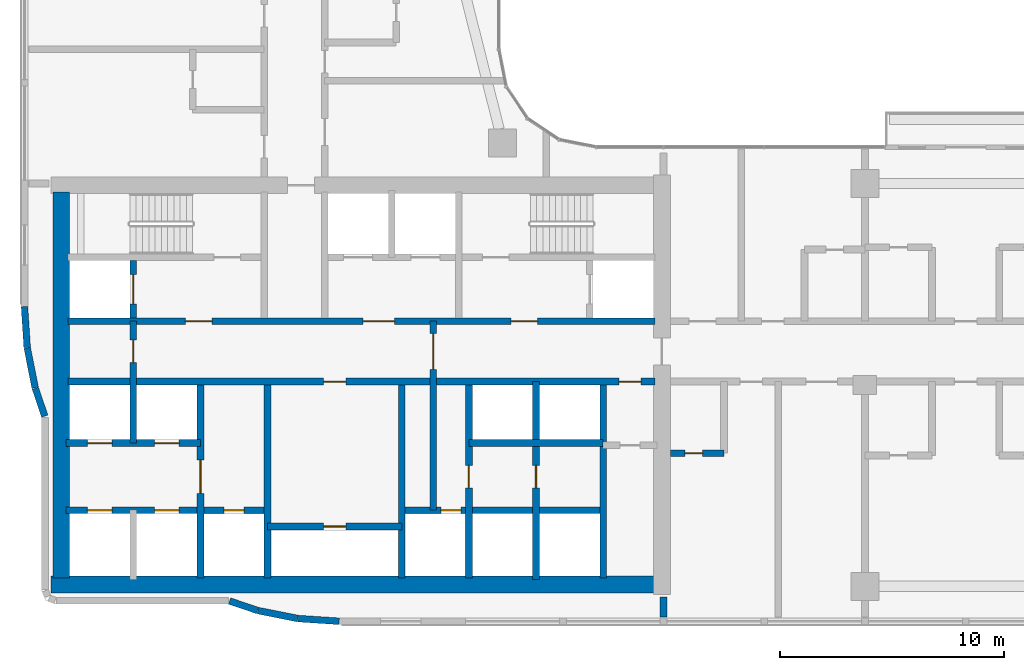
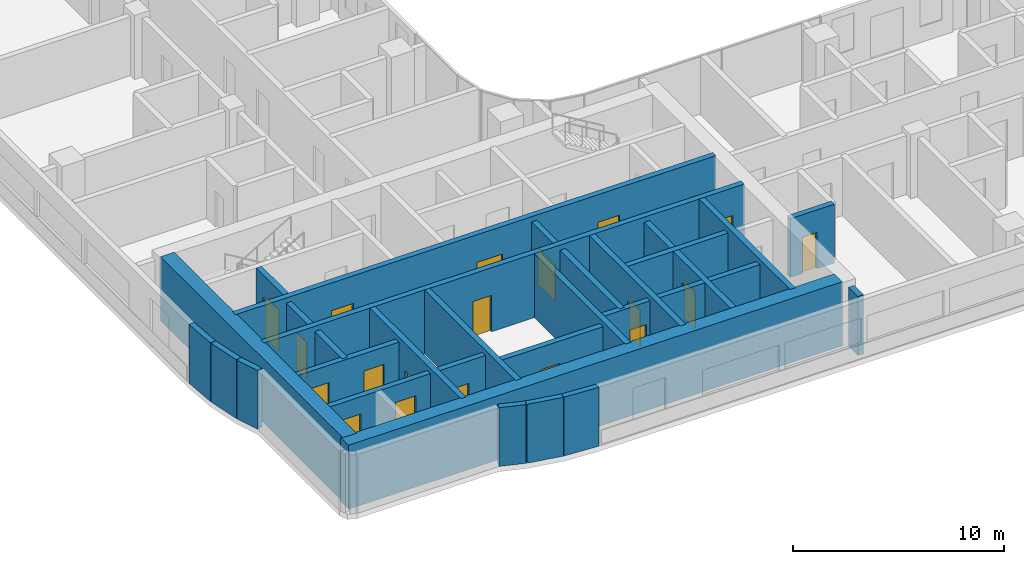
# One storey, part 9 of 23: 26 walls, 19 doors, 19 openings.
"""IFC4 building model written with IfcOpenShell, lengths in metres."""

from ifc_helpers import new_model, si_unit, direction, frame, frame_2d, origin, place, context, subcontext, project, spatial, rectangle, extrude, material, layer, layer_set, type_object, element, fill, save


model = new_model("IFC4")

# Units and contexts
model_context = context("Model", 3, precision=1e-05, world=origin(), true_north=direction((0.0, 1.0)))
body_context = subcontext(model_context, "Body", "Model", "MODEL_VIEW")
ifc_project = project(units=[si_unit("LENGTHUNIT", "METRE"), si_unit("AREAUNIT", "SQUARE_METRE"), si_unit("VOLUMEUNIT", "CUBIC_METRE"), si_unit("PLANEANGLEUNIT", "RADIAN"), si_unit("MASSUNIT", "GRAM", prefix="KILO")], contexts=[model_context])

# Site, building, storey
site_placement = place(None, origin())
site = spatial("IfcSite", under=ifc_project, at=site_placement, CompositionType="ELEMENT")
building_placement = place(site_placement, origin())
building = spatial("IfcBuilding", under=site, at=building_placement, Name="Ogive Portal Towers", CompositionType="ELEMENT")
storey_placement = place(building_placement, frame((0.0, 0.0, 127.800048828125)))
storey = spatial("IfcBuildingStorey", under=building, at=storey_placement, Name="L31", CompositionType="ELEMENT", Elevation=127.800048828125)

# Wall, opening, door
ifc_material_1 = material(Name="Concrete C60/75", Category="concrete")
ifc_layer_1 = layer(ifc_material_1, 0.300048828125)
ifc_layer_set_1 = layer_set([ifc_layer_1], Name="CORE WALL 300 C60")
wall_type_1 = type_object("IfcWallType", Name="CORE WALL 300 C60", PredefinedType="SHEAR", material=ifc_layer_set_1)
wall_1_placement = place(storey_placement, frame((37.800048828125, 21.875, 0.0), z_axis=(0.0, 0.0, 1.0), x_axis=(0.0, 1.0, 0.0)))
wall_1 = element("IfcWall", 1, at=wall_1_placement, inside=storey, type_object=wall_type_1, Name="Core wall X1 L31", PredefinedType="SHEAR", context=body_context, shape_type="SweptSolid", body=[
    extrude(rectangle(XDim=8.625, YDim=0.300048828125, at=frame_2d((4.3125, 0.0))), origin(), (0.0, 0.0, 1.0), 3.699951171875),
])
opening_1_placement = place(wall_1_placement, frame((3.77490234375, 0.0, 0.0)))
opening_1 = element("IfcOpeningElement", 2, at=opening_1_placement, cuts=wall_1, Name="Opening D11-002", PredefinedType="OPENING", context=body_context, shape_type="SweptSolid", body=[
    extrude(rectangle(XDim=1.5, YDim=2.10009765625, at=frame_2d((0.75, 1.050048828125))), frame((0.0, 0.16015625, 0.0), z_axis=(0.0, -1.0, 0.0), x_axis=(1.0, 0.0, 0.0)), (0.0, 0.0, 1.0), 0.320068359375),
])
ifc_material_2 = material(Name="Steel fire door", Category="steel")
door_type_1 = type_object("IfcDoorType", Name="DT-SWING-1500x2100-FD90S", OperationType="SINGLE_SWING_LEFT", PredefinedType="DOOR", material=ifc_material_2)
door_1_placement = place(opening_1_placement, origin())
door_1 = element("IfcDoor", 3, at=door_1_placement, inside=storey, type_object=door_type_1, Name="Door D11-002", OperationType="SINGLE_SWING_LEFT", OverallHeight=2.10009765625, OverallWidth=1.5, PredefinedType="DOOR", context=body_context, shape_type="SweptSolid", body=[
    extrude(rectangle(XDim=1.5, YDim=2.10009765625, at=frame_2d((0.75, 1.050048828125))), frame((0.0, 0.02490234375, 0.0), z_axis=(0.0, -1.0, 0.0), x_axis=(1.0, 0.0, 0.0)), (0.0, 0.0, 1.0), 0.050048828125),
])
fill(opening_1, door_1)

# Walls
for number, where, z_axis, x_axis, name in (
    (4, (40.800048828125, 21.875, 0.0), (0.0, 0.0, 1.0), (0.0, 1.0, 0.0), "Core wall X2 L31"),
    (5, (46.800048828125, 21.875, 0.0), (0.0, 0.0, 1.0), (0.0, 1.0, 0.0), "Core wall X3 L31"),
):
    element("IfcWall", number, at=place(storey_placement, frame(where, z_axis=z_axis, x_axis=x_axis)), inside=storey, type_object=wall_type_1, Name=name, PredefinedType="SHEAR", context=body_context, shape_type="SweptSolid", body=[
        extrude(rectangle(XDim=8.625, YDim=0.300048828125, at=frame_2d((4.3125, 0.0))), origin(), (0.0, 0.0, 1.0), 3.699951171875),
    ])

# Wall, opening, door
wall_2_placement = place(storey_placement, frame((49.800048828125, 21.875, 0.0), z_axis=(0.0, 0.0, 1.0), x_axis=(0.0, 1.0, 0.0)))
wall_2 = element("IfcWall", 6, at=wall_2_placement, inside=storey, type_object=wall_type_1, Name="Core wall X4 L31", PredefinedType="SHEAR", context=body_context, shape_type="SweptSolid", body=[
    extrude(rectangle(XDim=8.625, YDim=0.300048828125, at=frame_2d((4.3125, 0.0))), origin(), (0.0, 0.0, 1.0), 3.699951171875),
])
opening_2_placement = place(wall_2_placement, frame((4.02490234375, 0.0, 0.0)))
opening_2 = element("IfcOpeningElement", 7, at=opening_2_placement, cuts=wall_2, Name="Opening D11-024", PredefinedType="OPENING", context=body_context, shape_type="SweptSolid", body=[
    extrude(rectangle(XDim=1.0, YDim=2.10009765625, at=frame_2d((0.5, 1.050048828125))), frame((0.0, 0.16015625, 0.0), z_axis=(0.0, -1.0, 0.0), x_axis=(1.0, 0.0, 0.0)), (0.0, 0.0, 1.0), 0.320068359375),
])
door_type_2 = type_object("IfcDoorType", Name="DT-SWING-1000x2100-FD90S", OperationType="SINGLE_SWING_LEFT", PredefinedType="DOOR", material=ifc_material_2)
door_2_placement = place(opening_2_placement, origin())
door_2 = element("IfcDoor", 8, at=door_2_placement, inside=storey, type_object=door_type_2, Name="Door D11-024", OperationType="SINGLE_SWING_LEFT", OverallHeight=2.10009765625, OverallWidth=1.0, PredefinedType="DOOR", context=body_context, shape_type="SweptSolid", body=[
    extrude(rectangle(XDim=1.0, YDim=2.10009765625, at=frame_2d((0.5, 1.050048828125))), frame((0.0, 0.02490234375, 0.0), z_axis=(0.0, -1.0, 0.0), x_axis=(1.0, 0.0, 0.0)), (0.0, 0.0, 1.0), 0.050048828125),
])
fill(opening_2, door_2)

# Wall
wall_3_placement = place(storey_placement, frame((55.800048828125, 21.875, 0.0), z_axis=(0.0, 0.0, 1.0), x_axis=(0.0, 1.0, 0.0)))
element("IfcWall", 9, at=wall_3_placement, inside=storey, type_object=wall_type_1, Name="Core wall X5 L31", PredefinedType="SHEAR", context=body_context, shape_type="SweptSolid", body=[
    extrude(rectangle(XDim=8.625, YDim=0.300048828125, at=frame_2d((4.3125, 0.0))), origin(), (0.0, 0.0, 1.0), 3.699951171875),
])

# Wall, openings, doors
wall_4_placement = place(storey_placement, frame((31.875, 30.64990234375, 0.0), z_axis=(0.0, 0.0, 1.0), x_axis=(1.0, 0.0, 0.0)))
wall_4 = element("IfcWall", 10, at=wall_4_placement, inside=storey, type_object=wall_type_1, Name="Core wall Y1 L31", PredefinedType="SHEAR", context=body_context, shape_type="SweptSolid", body=[
    extrude(rectangle(XDim=26.25, YDim=0.300048828125, at=frame_2d((13.125, 0.0))), origin(), (0.0, 0.0, 1.0), 3.699951171875),
])
opening_3_placement = place(wall_4_placement, frame((24.625, 0.0, 0.0)))
opening_3 = element("IfcOpeningElement", 11, at=opening_3_placement, cuts=wall_4, Name="Opening D11-010", PredefinedType="OPENING", context=body_context, shape_type="SweptSolid", body=[
    extrude(rectangle(XDim=1.0, YDim=2.10009765625, at=frame_2d((0.5, 1.050048828125))), frame((0.0, 0.16015625, 0.0), z_axis=(0.0, -1.0, 0.0), x_axis=(1.0, 0.0, 0.0)), (0.0, 0.0, 1.0), 0.320068359375),
])
opening_4_placement = place(wall_4_placement, frame((11.425048828125, 0.0, 0.0)))
opening_4 = element("IfcOpeningElement", 12, at=opening_4_placement, cuts=wall_4, Name="Opening D11-022", PredefinedType="OPENING", context=body_context, shape_type="SweptSolid", body=[
    extrude(rectangle(XDim=1.0, YDim=2.10009765625, at=frame_2d((0.5, 1.050048828125))), frame((0.0, 0.16015625, 0.0), z_axis=(0.0, -1.0, 0.0), x_axis=(1.0, 0.0, 0.0)), (0.0, 0.0, 1.0), 0.320068359375),
])
door_3_placement = place(opening_3_placement, origin())
door_3 = element("IfcDoor", 13, at=door_3_placement, inside=storey, type_object=door_type_2, Name="Door D11-010", OperationType="SINGLE_SWING_LEFT", OverallHeight=2.10009765625, OverallWidth=1.0, PredefinedType="DOOR", context=body_context, shape_type="SweptSolid", body=[
    extrude(rectangle(XDim=1.0, YDim=2.10009765625, at=frame_2d((0.5, 1.050048828125))), frame((0.0, 0.02490234375, 0.0), z_axis=(0.0, -1.0, 0.0), x_axis=(1.0, 0.0, 0.0)), (0.0, 0.0, 1.0), 0.050048828125),
])
fill(opening_3, door_3)
door_4_placement = place(opening_4_placement, origin())
door_4 = element("IfcDoor", 14, at=door_4_placement, inside=storey, type_object=door_type_2, Name="Door D11-022", OperationType="SINGLE_SWING_LEFT", OverallHeight=2.10009765625, OverallWidth=1.0, PredefinedType="DOOR", context=body_context, shape_type="SweptSolid", body=[
    extrude(rectangle(XDim=1.0, YDim=2.10009765625, at=frame_2d((0.5, 1.050048828125))), frame((0.0, 0.02490234375, 0.0), z_axis=(0.0, -1.0, 0.0), x_axis=(1.0, 0.0, 0.0)), (0.0, 0.0, 1.0), 0.050048828125),
])
fill(opening_4, door_4)

wall_5_placement = place(storey_placement, frame((31.875, 33.35009765625, 0.0), z_axis=(0.0, 0.0, 1.0), x_axis=(1.0, 0.0, 0.0)))
wall_5 = element("IfcWall", 15, at=wall_5_placement, inside=storey, type_object=wall_type_1, Name="Core wall Y2 L31", PredefinedType="SHEAR", context=body_context, shape_type="SweptSolid", body=[
    extrude(rectangle(XDim=26.25, YDim=0.300048828125, at=frame_2d((13.125, 0.0))), origin(), (0.0, 0.0, 1.0), 3.699951171875),
])
opening_5_placement = place(wall_5_placement, frame((13.199951171875, 0.0, 0.0)))
opening_5 = element("IfcOpeningElement", 16, at=opening_5_placement, cuts=wall_5, Name="Opening D11-003", PredefinedType="OPENING", context=body_context, shape_type="SweptSolid", body=[
    extrude(rectangle(XDim=1.39990234375, YDim=2.10009765625, at=frame_2d((0.699951171875, 1.050048828125))), frame((0.0, 0.16015625, 0.0), z_axis=(0.0, -1.0, 0.0), x_axis=(1.0, 0.0, 0.0)), (0.0, 0.0, 1.0), 0.320068359375),
])
opening_6_placement = place(wall_5_placement, frame((5.25, 0.0, 0.0)))
opening_6 = element("IfcOpeningElement", 17, at=opening_6_placement, cuts=wall_5, Name="Opening D11-004", PredefinedType="OPENING", context=body_context, shape_type="SweptSolid", body=[
    extrude(rectangle(XDim=1.199951171875, YDim=2.10009765625, at=frame_2d((0.60009765625, 1.050048828125))), frame((0.0, 0.16015625, 0.0), z_axis=(0.0, -1.0, 0.0), x_axis=(1.0, 0.0, 0.0)), (0.0, 0.0, 1.0), 0.320068359375),
])
opening_7_placement = place(wall_5_placement, frame((19.800048828125, 0.0, 0.0)))
opening_7 = element("IfcOpeningElement", 18, at=opening_7_placement, cuts=wall_5, Name="Opening D11-005", PredefinedType="OPENING", context=body_context, shape_type="SweptSolid", body=[
    extrude(rectangle(XDim=1.199951171875, YDim=2.10009765625, at=frame_2d((0.60009765625, 1.050048828125))), frame((0.0, 0.16015625, 0.0), z_axis=(0.0, -1.0, 0.0), x_axis=(1.0, 0.0, 0.0)), (0.0, 0.0, 1.0), 0.320068359375),
])
door_type_3 = type_object("IfcDoorType", Name="DT-SWING-1200x2100-FD90S", OperationType="SINGLE_SWING_LEFT", PredefinedType="DOOR", material=ifc_material_2)
door_5_placement = place(opening_6_placement, origin())
door_5 = element("IfcDoor", 19, at=door_5_placement, inside=storey, type_object=door_type_3, Name="Door D11-004", OperationType="SINGLE_SWING_LEFT", OverallHeight=2.10009765625, OverallWidth=1.199951171875, PredefinedType="DOOR", context=body_context, shape_type="SweptSolid", body=[
    extrude(rectangle(XDim=1.199951171875, YDim=2.10009765625, at=frame_2d((0.60009765625, 1.050048828125))), frame((0.0, 0.02490234375, 0.0), z_axis=(0.0, -1.0, 0.0), x_axis=(1.0, 0.0, 0.0)), (0.0, 0.0, 1.0), 0.050048828125),
])
fill(opening_6, door_5)
door_6_placement = place(opening_7_placement, origin())
door_6 = element("IfcDoor", 20, at=door_6_placement, inside=storey, type_object=door_type_3, Name="Door D11-005", OperationType="SINGLE_SWING_RIGHT", OverallHeight=2.10009765625, OverallWidth=1.199951171875, PredefinedType="DOOR", context=body_context, shape_type="SweptSolid", body=[
    extrude(rectangle(XDim=1.199951171875, YDim=2.10009765625, at=frame_2d((0.60009765625, 1.050048828125))), frame((0.0, 0.02490234375, 0.0), z_axis=(0.0, -1.0, 0.0), x_axis=(1.0, 0.0, 0.0)), (0.0, 0.0, 1.0), 0.050048828125),
])
fill(opening_7, door_6)
door_type_4 = type_object("IfcDoorType", Name="DT-SWING-1400x2100-FD90S", OperationType="SINGLE_SWING_LEFT", PredefinedType="DOOR", material=ifc_material_2)
door_7_placement = place(opening_5_placement, origin())
door_7 = element("IfcDoor", 21, at=door_7_placement, inside=storey, type_object=door_type_4, Name="Door D11-003", OperationType="SINGLE_SWING_RIGHT", OverallHeight=2.10009765625, OverallWidth=1.39990234375, PredefinedType="DOOR", context=body_context, shape_type="SweptSolid", body=[
    extrude(rectangle(XDim=1.39990234375, YDim=2.10009765625, at=frame_2d((0.699951171875, 1.050048828125))), frame((0.0, 0.02490234375, 0.0), z_axis=(0.0, -1.0, 0.0), x_axis=(1.0, 0.0, 0.0)), (0.0, 0.0, 1.0), 0.050048828125),
])
fill(opening_5, door_7)

# Wall, opening, door
wall_6_placement = place(storey_placement, frame((34.800048828125, 33.5, 0.0), z_axis=(0.0, 0.0, 1.0), x_axis=(0.0, 1.0, 0.0)))
wall_6 = element("IfcWall", 22, at=wall_6_placement, inside=storey, type_object=wall_type_1, Name="Core wall X8 L31", PredefinedType="SHEAR", context=body_context, shape_type="SweptSolid", body=[
    extrude(rectangle(XDim=2.550048828125, YDim=0.300048828125, at=frame_2d((1.27490234375, 0.0))), origin(), (0.0, 0.0, 1.0), 3.699951171875),
])
opening_8_placement = place(wall_6_placement, frame((0.625, 0.0, 0.0)))
opening_8 = element("IfcOpeningElement", 23, at=opening_8_placement, cuts=wall_6, Name="Opening D11-020", PredefinedType="OPENING", context=body_context, shape_type="SweptSolid", body=[
    extrude(rectangle(XDim=1.300048828125, YDim=2.39990234375, at=frame_2d((0.64990234375, 1.199951171875))), frame((0.0, 0.16015625, 0.0), z_axis=(0.0, -1.0, 0.0), x_axis=(1.0, 0.0, 0.0)), (0.0, 0.0, 1.0), 0.320068359375),
])
ifc_material_3 = material(Name="Stainless steel", Category="steel")
door_type_5 = type_object("IfcDoorType", Name="DT-LD-1300x2400", OperationType="SLIDING_TO_LEFT", PredefinedType="DOOR", material=ifc_material_3)
door_8_placement = place(opening_8_placement, origin())
door_8 = element("IfcDoor", 24, at=door_8_placement, inside=storey, type_object=door_type_5, Name="Door D11-020", OperationType="SLIDING_TO_LEFT", OverallHeight=2.39990234375, OverallWidth=1.300048828125, PredefinedType="DOOR", context=body_context, shape_type="SweptSolid", body=[
    extrude(rectangle(XDim=1.300048828125, YDim=2.39990234375, at=frame_2d((0.64990234375, 1.199951171875))), frame((0.0, 0.02490234375, 0.0), z_axis=(0.0, -1.0, 0.0), x_axis=(1.0, 0.0, 0.0)), (0.0, 0.0, 1.0), 0.050048828125),
])
fill(opening_8, door_8)

# Walls
ifc_layer_2 = layer(ifc_material_1, 0.75)
ifc_layer_set_2 = layer_set([ifc_layer_2], Name="CORE WALL 750 C60")
wall_type_2 = type_object("IfcWallType", Name="CORE WALL 750 C60", PredefinedType="SHEAR", material=ifc_layer_set_2)
wall_7_placement = place(storey_placement, frame((31.574951171875, 21.875, 0.0), z_axis=(0.0, 0.0, 1.0), x_axis=(0.0, 1.0, 0.0)))
element("IfcWall", 25, at=wall_7_placement, inside=storey, type_object=wall_type_2, Name="Core wall W L31", PredefinedType="SHEAR", context=body_context, shape_type="SweptSolid", body=[
    extrude(rectangle(XDim=17.25, YDim=0.75, at=frame_2d((8.625, 0.0))), origin(), (0.0, 0.0, 1.0), 3.699951171875),
])
wall_8_placement = place(storey_placement, frame((31.125, 21.574951171875, 0.0), z_axis=(0.0, 0.0, 1.0), x_axis=(1.0, 0.0, 0.0)))
element("IfcWall", 26, at=wall_8_placement, inside=storey, type_object=wall_type_2, Name="Core wall S L31", PredefinedType="SHEAR", context=body_context, shape_type="SweptSolid", body=[
    extrude(rectangle(XDim=27.0, YDim=0.75, at=frame_2d((13.5, 0.0))), origin(), (0.0, 0.0, 1.0), 3.699951171875),
])
ifc_material_4 = material(Name="Limestone cladding on lightweight block wall", Category="masonry")
ifc_layer_3 = layer(ifc_material_4, 0.300048828125)
ifc_layer_set_3 = layer_set([ifc_layer_3], Name="EXTERNAL WALL 300 STONE")
wall_type_3 = type_object("IfcWallType", Name="EXTERNAL WALL 300 STONE", PredefinedType="SOLIDWALL", material=ifc_layer_set_3)
wall_9_placement = place(storey_placement, frame((39.1005859375, 20.842041015625, 0.0), z_axis=(0.0, 0.0, 1.0), x_axis=(0.946930456305, -0.32143850255, 0.0)))
element("IfcWall", 27, at=wall_9_placement, inside=storey, type_object=wall_type_3, Name="A:L31:f04:r0:wall", PredefinedType="SOLIDWALL", context=body_context, shape_type="SweptSolid", body=[
    extrude(rectangle(XDim=1.320068359375, YDim=0.300048828125, at=frame_2d((0.66015625, 0.0))), origin(), (0.0, 0.0, 1.0), 3.39990234375),
])
wall_10_placement = place(storey_placement, frame((40.369384765625, 20.41259765625, 0.0), z_axis=(0.0, 0.0, 1.0), x_axis=(0.980796757168, -0.195032615553, 0.0)))
element("IfcWall", 28, at=wall_10_placement, inside=storey, type_object=wall_type_3, Name="A:L31:f05:r0:wall", PredefinedType="SOLIDWALL", context=body_context, shape_type="SweptSolid", body=[
    extrude(rectangle(XDim=1.820068359375, YDim=0.300048828125, at=frame_2d((0.91015625, 0.0))), origin(), (0.0, 0.0, 1.0), 3.39990234375),
])
for number, where, z_axis, x_axis, name in (
    (29, (42.174072265625, 20.054931640625, 0.0), (0.0, 0.0, 1.0), (0.997860660543, -0.065376617685, 0.0), "A:L31:f06:r0:wall"),
    (30, (29.935302734375, 34.0, 0.0), (0.0, 0.0, 1.0), (0.065376617685, -0.997860660543, 0.0), "A:L31:f26:r0:wall"),
):
    element("IfcWall", number, at=place(storey_placement, frame(where, z_axis=z_axis, x_axis=x_axis)), inside=storey, type_object=wall_type_3, Name=name, PredefinedType="SOLIDWALL", context=body_context, shape_type="SweptSolid", body=[
        extrude(rectangle(XDim=1.829833984375, YDim=0.300048828125, at=frame_2d((0.9150390625, 0.0))), origin(), (0.0, 0.0, 1.0), 3.39990234375),
    ])
wall_11_placement = place(storey_placement, frame((30.0576171875, 32.154541015625, 0.0), z_axis=(0.0, 0.0, 1.0), x_axis=(0.195032615553, -0.980796757168, 0.0)))
element("IfcWall", 31, at=wall_11_placement, inside=storey, type_object=wall_type_3, Name="A:L31:f27:r0:wall", PredefinedType="SOLIDWALL", context=body_context, shape_type="SweptSolid", body=[
    extrude(rectangle(XDim=1.820068359375, YDim=0.300048828125, at=frame_2d((0.91015625, 0.0))), origin(), (0.0, 0.0, 1.0), 3.39990234375),
])
wall_12_placement = place(storey_placement, frame((30.417724609375, 30.3505859375, 0.0), z_axis=(0.0, 0.0, 1.0), x_axis=(0.32143850255, -0.946930456305, 0.0)))
element("IfcWall", 32, at=wall_12_placement, inside=storey, type_object=wall_type_3, Name="A:L31:f28:r0:wall", PredefinedType="SOLIDWALL", context=body_context, shape_type="SweptSolid", body=[
    extrude(rectangle(XDim=1.320068359375, YDim=0.300048828125, at=frame_2d((0.66015625, 0.0))), origin(), (0.0, 0.0, 1.0), 3.39990234375),
])

# Wall, opening, door
ifc_material_5 = material(Name="Gypsum board partition on steel studs", Category="steel")
ifc_layer_4 = layer(ifc_material_5, 0.300048828125)
ifc_layer_set_4 = layer_set([ifc_layer_4], Name="WT-PART-300")
wall_type_4 = type_object("IfcWallType", Name="WT-PART-300", PredefinedType="PARTITIONING", material=ifc_layer_set_4)
wall_13_placement = place(storey_placement, frame((40.800048828125, 24.173095703125, 0.0), z_axis=(0.0, 0.0, 1.0), x_axis=(1.0, 0.0, 0.0)))
wall_13 = element("IfcWall", 33, at=wall_13_placement, inside=storey, type_object=wall_type_4, Name="Wall pw:001:L31", PredefinedType="PARTITIONING", context=body_context, shape_type="SweptSolid", body=[
    extrude(rectangle(XDim=6.0, YDim=0.300048828125, at=frame_2d((3.0, 0.0))), origin(), (0.0, 0.0, 1.0), 3.39990234375),
])
opening_9_placement = place(wall_13_placement, frame((2.5, 0.0, 0.0)))
opening_9 = element("IfcOpeningElement", 34, at=opening_9_placement, cuts=wall_13, Name="Opening D11-023", PredefinedType="OPENING", context=body_context, shape_type="SweptSolid", body=[
    extrude(rectangle(XDim=1.0, YDim=2.10009765625, at=frame_2d((0.5, 1.050048828125))), frame((0.0, 0.16015625, 0.0), z_axis=(0.0, -1.0, 0.0), x_axis=(1.0, 0.0, 0.0)), (0.0, 0.0, 1.0), 0.320068359375),
])
door_type_6 = type_object("IfcDoorType", Name="DT-SWING-1000x2100-FD60S", OperationType="SINGLE_SWING_LEFT", PredefinedType="DOOR", material=ifc_material_2)
door_9_placement = place(opening_9_placement, origin())
door_9 = element("IfcDoor", 35, at=door_9_placement, inside=storey, type_object=door_type_6, Name="Riser access door D11-023", OperationType="SINGLE_SWING_RIGHT", OverallHeight=2.10009765625, OverallWidth=1.0, PredefinedType="DOOR", context=body_context, shape_type="SweptSolid", body=[
    extrude(rectangle(XDim=1.0, YDim=2.10009765625, at=frame_2d((0.5, 1.050048828125))), frame((0.0, 0.02490234375, 0.0), z_axis=(0.0, -1.0, 0.0), x_axis=(1.0, 0.0, 0.0)), (0.0, 0.0, 1.0), 0.050048828125),
])
fill(opening_9, door_9)

wall_14_placement = place(storey_placement, frame((48.199951171875, 24.89990234375, 0.0), z_axis=(0.0, 0.0, 1.0), x_axis=(0.0, 1.0, 0.0)))
wall_14 = element("IfcWall", 36, at=wall_14_placement, inside=storey, type_object=wall_type_4, Name="Wall pw:011:L31", PredefinedType="PARTITIONING", context=body_context, shape_type="SweptSolid", body=[
    extrude(rectangle(XDim=8.4501953125, YDim=0.300048828125, at=frame_2d((4.22509765625, 0.0))), origin(), (0.0, 0.0, 1.0), 3.39990234375),
])
opening_10_placement = place(wall_14_placement, frame((6.300048828125, 0.0, 0.0)))
opening_10 = element("IfcOpeningElement", 37, at=opening_10_placement, cuts=wall_14, Name="Opening D11-001", PredefinedType="OPENING", context=body_context, shape_type="SweptSolid", body=[
    extrude(rectangle(XDim=1.60009765625, YDim=2.10009765625, at=frame_2d((0.800048828125, 1.050048828125))), frame((0.0, 0.16015625, 0.0), z_axis=(0.0, -1.0, 0.0), x_axis=(1.0, 0.0, 0.0)), (0.0, 0.0, 1.0), 0.320068359375),
])
door_type_7 = type_object("IfcDoorType", Name="DT-SWING-1600x2100-FD60S", OperationType="SINGLE_SWING_LEFT", PredefinedType="DOOR", material=ifc_material_2)
door_10_placement = place(opening_10_placement, origin())
door_10 = element("IfcDoor", 38, at=door_10_placement, inside=storey, type_object=door_type_7, Name="Door D11-001", OperationType="SINGLE_SWING_LEFT", OverallHeight=2.10009765625, OverallWidth=1.60009765625, PredefinedType="DOOR", context=body_context, shape_type="SweptSolid", body=[
    extrude(rectangle(XDim=1.60009765625, YDim=2.10009765625, at=frame_2d((0.800048828125, 1.050048828125))), frame((0.0, 0.02490234375, 0.0), z_axis=(0.0, -1.0, 0.0), x_axis=(1.0, 0.0, 0.0)), (0.0, 0.0, 1.0), 0.050048828125),
])
fill(opening_10, door_10)

ifc_layer_5 = layer(ifc_material_5, 0.300048828125)
ifc_layer_set_5 = layer_set([ifc_layer_5], Name="WT-PART-300-EI 60")
wall_type_5 = type_object("IfcWallType", Name="WT-PART-300-EI 60", PredefinedType="PARTITIONING", material=ifc_layer_set_5)
wall_15_placement = place(storey_placement, frame((58.800048828125, 27.449951171875, 0.0), z_axis=(0.0, 0.0, 1.0), x_axis=(1.0, 0.0, 0.0)))
wall_15 = element("IfcWall", 39, at=wall_15_placement, inside=storey, type_object=wall_type_5, Name="Wall L31:w004", PredefinedType="PARTITIONING", context=body_context, shape_type="SweptSolid", body=[
    extrude(rectangle(XDim=2.39990234375, YDim=0.300048828125, at=frame_2d((1.199951171875, 0.0))), origin(), (0.0, 0.0, 1.0), 3.39990234375),
])
opening_11_placement = place(wall_15_placement, frame((0.64990234375, 0.0, 0.0)))
opening_11 = element("IfcOpeningElement", 40, at=opening_11_placement, cuts=wall_15, Name="Opening D11-030", PredefinedType="OPENING", context=body_context, shape_type="SweptSolid", body=[
    extrude(rectangle(XDim=0.800048828125, YDim=2.10009765625, at=frame_2d((0.39990234375, 1.050048828125))), frame((0.0, 0.16015625, 0.0), z_axis=(0.0, -1.0, 0.0), x_axis=(1.0, 0.0, 0.0)), (0.0, 0.0, 1.0), 0.320068359375),
])
door_type_8 = type_object("IfcDoorType", Name="DT-BATH-800x2100-FD60S", OperationType="SINGLE_SWING_LEFT", PredefinedType="DOOR", material=ifc_material_2)
door_11_placement = place(opening_11_placement, origin())
door_11 = element("IfcDoor", 41, at=door_11_placement, inside=storey, type_object=door_type_8, Name="Door D11-030", OperationType="SINGLE_SWING_LEFT", OverallHeight=2.10009765625, OverallWidth=0.800048828125, PredefinedType="DOOR", context=body_context, shape_type="SweptSolid", body=[
    extrude(rectangle(XDim=0.800048828125, YDim=2.10009765625, at=frame_2d((0.39990234375, 1.050048828125))), frame((0.0, 0.02490234375, 0.0), z_axis=(0.0, -1.0, 0.0), x_axis=(1.0, 0.0, 0.0)), (0.0, 0.0, 1.0), 0.050048828125),
])
fill(opening_11, door_11)

# Wall
wall_16_placement = place(storey_placement, frame((58.5, 20.135009765625, 0.0), z_axis=(0.0, 0.0, 1.0), x_axis=(0.0, 1.0, 0.0)))
element("IfcWall", 42, at=wall_16_placement, inside=storey, type_object=wall_type_5, Name="Wall L31:w044", PredefinedType="PARTITIONING", context=body_context, shape_type="SweptSolid", body=[
    extrude(rectangle(XDim=0.89501953125, YDim=0.300048828125, at=frame_2d((0.447509765625, 0.0))), origin(), (0.0, 0.0, 1.0), 3.39990234375),
])

# Wall, openings, doors
ifc_material_6 = material(Name="Concrete C40/50", Category="concrete")
ifc_layer_6 = layer(ifc_material_6, 0.300048828125)
ifc_layer_set_6 = layer_set([ifc_layer_6], Name="WT-SHAFT-300")
wall_type_6 = type_object("IfcWallType", Name="WT-SHAFT-300", PredefinedType="SOLIDWALL", material=ifc_layer_set_6)
wall_17_placement = place(storey_placement, frame((31.800048828125, 24.89990234375, 0.0), z_axis=(0.0, 0.0, 1.0), x_axis=(1.0, 0.0, 0.0)))
wall_17 = element("IfcWall", 43, at=wall_17_placement, inside=storey, type_object=wall_type_6, Name="Wall pw:002:L31", PredefinedType="SOLIDWALL", context=body_context, shape_type="SweptSolid", body=[
    extrude(rectangle(XDim=9.0, YDim=0.300048828125, at=frame_2d((4.5, 0.0))), origin(), (0.0, 0.0, 1.0), 3.39990234375),
])
opening_12_placement = place(wall_17_placement, frame((7.050048828125, 0.0, 0.0)))
opening_12 = element("IfcOpeningElement", 44, at=opening_12_placement, cuts=wall_17, Name="Opening D11-008", PredefinedType="OPENING", context=body_context, shape_type="SweptSolid", body=[
    extrude(rectangle(XDim=0.89990234375, YDim=2.10009765625, at=frame_2d((0.449951171875, 1.050048828125))), frame((0.0, 0.16015625, 0.0), z_axis=(0.0, -1.0, 0.0), x_axis=(1.0, 0.0, 0.0)), (0.0, 0.0, 1.0), 0.320068359375),
])
opening_13_placement = place(wall_17_placement, frame((0.949951171875, 0.0, 0.0)))
opening_13 = element("IfcOpeningElement", 45, at=opening_13_placement, cuts=wall_17, Name="Opening D11-014", PredefinedType="OPENING", context=body_context, shape_type="SweptSolid", body=[
    extrude(rectangle(XDim=1.10009765625, YDim=2.39990234375, at=frame_2d((0.550048828125, 1.199951171875))), frame((0.0, 0.16015625, 0.0), z_axis=(0.0, -1.0, 0.0), x_axis=(1.0, 0.0, 0.0)), (0.0, 0.0, 1.0), 0.320068359375),
])
opening_14_placement = place(wall_17_placement, frame((3.949951171875, 0.0, 0.0)))
opening_14 = element("IfcOpeningElement", 46, at=opening_14_placement, cuts=wall_17, Name="Opening D11-015", PredefinedType="OPENING", context=body_context, shape_type="SweptSolid", body=[
    extrude(rectangle(XDim=1.10009765625, YDim=2.39990234375, at=frame_2d((0.550048828125, 1.199951171875))), frame((0.0, 0.16015625, 0.0), z_axis=(0.0, -1.0, 0.0), x_axis=(1.0, 0.0, 0.0)), (0.0, 0.0, 1.0), 0.320068359375),
])
door_type_9 = type_object("IfcDoorType", Name="DT-LD-1100x2400", OperationType="SLIDING_TO_LEFT", PredefinedType="DOOR", material=ifc_material_3)
door_12_placement = place(opening_13_placement, origin())
door_12 = element("IfcDoor", 47, at=door_12_placement, inside=storey, type_object=door_type_9, Name="Door D11-014", OperationType="SLIDING_TO_LEFT", OverallHeight=2.39990234375, OverallWidth=1.10009765625, PredefinedType="DOOR", context=body_context, shape_type="SweptSolid", body=[
    extrude(rectangle(XDim=1.10009765625, YDim=2.39990234375, at=frame_2d((0.550048828125, 1.199951171875))), frame((0.0, 0.02490234375, 0.0), z_axis=(0.0, -1.0, 0.0), x_axis=(1.0, 0.0, 0.0)), (0.0, 0.0, 1.0), 0.050048828125),
])
fill(opening_13, door_12)
door_13_placement = place(opening_14_placement, origin())
door_13 = element("IfcDoor", 48, at=door_13_placement, inside=storey, type_object=door_type_9, Name="Door D11-015", OperationType="SLIDING_TO_LEFT", OverallHeight=2.39990234375, OverallWidth=1.10009765625, PredefinedType="DOOR", context=body_context, shape_type="SweptSolid", body=[
    extrude(rectangle(XDim=1.10009765625, YDim=2.39990234375, at=frame_2d((0.550048828125, 1.199951171875))), frame((0.0, 0.02490234375, 0.0), z_axis=(0.0, -1.0, 0.0), x_axis=(1.0, 0.0, 0.0)), (0.0, 0.0, 1.0), 0.050048828125),
])
fill(opening_14, door_13)
door_type_10 = type_object("IfcDoorType", Name="DT-SWING-900x2100-FD90S", OperationType="SINGLE_SWING_LEFT", PredefinedType="DOOR", material=ifc_material_2)
door_14_placement = place(opening_12_placement, origin())
door_14 = element("IfcDoor", 49, at=door_14_placement, inside=storey, type_object=door_type_10, Name="Riser access door D11-008", OperationType="SINGLE_SWING_LEFT", OverallHeight=2.10009765625, OverallWidth=0.89990234375, PredefinedType="DOOR", context=body_context, shape_type="SweptSolid", body=[
    extrude(rectangle(XDim=0.89990234375, YDim=2.10009765625, at=frame_2d((0.449951171875, 1.050048828125))), frame((0.0, 0.02490234375, 0.0), z_axis=(0.0, -1.0, 0.0), x_axis=(1.0, 0.0, 0.0)), (0.0, 0.0, 1.0), 0.050048828125),
])
fill(opening_12, door_14)

# Wall, opening, door
wall_18_placement = place(storey_placement, frame((46.800048828125, 24.89990234375, 0.0), z_axis=(0.0, 0.0, 1.0), x_axis=(1.0, 0.0, 0.0)))
wall_18 = element("IfcWall", 50, at=wall_18_placement, inside=storey, type_object=wall_type_6, Name="Wall pw:003:L31", PredefinedType="SOLIDWALL", context=body_context, shape_type="SweptSolid", body=[
    extrude(rectangle(XDim=9.0, YDim=0.300048828125, at=frame_2d((4.5, 0.0))), origin(), (0.0, 0.0, 1.0), 3.39990234375),
])
opening_15_placement = place(wall_18_placement, frame((1.75, 0.0, 0.0)))
opening_15 = element("IfcOpeningElement", 51, at=opening_15_placement, cuts=wall_18, Name="Opening D11-009", PredefinedType="OPENING", context=body_context, shape_type="SweptSolid", body=[
    extrude(rectangle(XDim=0.89990234375, YDim=2.10009765625, at=frame_2d((0.449951171875, 1.050048828125))), frame((0.0, 0.16015625, 0.0), z_axis=(0.0, -1.0, 0.0), x_axis=(1.0, 0.0, 0.0)), (0.0, 0.0, 1.0), 0.320068359375),
])
door_15_placement = place(opening_15_placement, origin())
door_15 = element("IfcDoor", 52, at=door_15_placement, inside=storey, type_object=door_type_10, Name="Riser access door D11-009", OperationType="SINGLE_SWING_RIGHT", OverallHeight=2.10009765625, OverallWidth=0.89990234375, PredefinedType="DOOR", context=body_context, shape_type="SweptSolid", body=[
    extrude(rectangle(XDim=0.89990234375, YDim=2.10009765625, at=frame_2d((0.449951171875, 1.050048828125))), frame((0.0, 0.02490234375, 0.0), z_axis=(0.0, -1.0, 0.0), x_axis=(1.0, 0.0, 0.0)), (0.0, 0.0, 1.0), 0.050048828125),
])
fill(opening_15, door_15)

# Wall, openings, doors
wall_19_placement = place(storey_placement, frame((31.800048828125, 27.89990234375, 0.0), z_axis=(0.0, 0.0, 1.0), x_axis=(1.0, 0.0, 0.0)))
wall_19 = element("IfcWall", 53, at=wall_19_placement, inside=storey, type_object=wall_type_6, Name="Wall pw:005:L31", PredefinedType="SOLIDWALL", context=body_context, shape_type="SweptSolid", body=[
    extrude(rectangle(XDim=6.0, YDim=0.300048828125, at=frame_2d((3.0, 0.0))), origin(), (0.0, 0.0, 1.0), 3.39990234375),
])
opening_16_placement = place(wall_19_placement, frame((0.949951171875, 0.0, 0.0)))
opening_16 = element("IfcOpeningElement", 54, at=opening_16_placement, cuts=wall_19, Name="Opening D11-016", PredefinedType="OPENING", context=body_context, shape_type="SweptSolid", body=[
    extrude(rectangle(XDim=1.10009765625, YDim=2.39990234375, at=frame_2d((0.550048828125, 1.199951171875))), frame((0.0, 0.16015625, 0.0), z_axis=(0.0, -1.0, 0.0), x_axis=(1.0, 0.0, 0.0)), (0.0, 0.0, 1.0), 0.320068359375),
])
opening_17_placement = place(wall_19_placement, frame((3.949951171875, 0.0, 0.0)))
opening_17 = element("IfcOpeningElement", 55, at=opening_17_placement, cuts=wall_19, Name="Opening D11-017", PredefinedType="OPENING", context=body_context, shape_type="SweptSolid", body=[
    extrude(rectangle(XDim=1.10009765625, YDim=2.39990234375, at=frame_2d((0.550048828125, 1.199951171875))), frame((0.0, 0.16015625, 0.0), z_axis=(0.0, -1.0, 0.0), x_axis=(1.0, 0.0, 0.0)), (0.0, 0.0, 1.0), 0.320068359375),
])
door_16_placement = place(opening_16_placement, origin())
door_16 = element("IfcDoor", 56, at=door_16_placement, inside=storey, type_object=door_type_9, Name="Door D11-016", OperationType="SLIDING_TO_LEFT", OverallHeight=2.39990234375, OverallWidth=1.10009765625, PredefinedType="DOOR", context=body_context, shape_type="SweptSolid", body=[
    extrude(rectangle(XDim=1.10009765625, YDim=2.39990234375, at=frame_2d((0.550048828125, 1.199951171875))), frame((0.0, 0.02490234375, 0.0), z_axis=(0.0, -1.0, 0.0), x_axis=(1.0, 0.0, 0.0)), (0.0, 0.0, 1.0), 0.050048828125),
])
fill(opening_16, door_16)
door_17_placement = place(opening_17_placement, origin())
door_17 = element("IfcDoor", 57, at=door_17_placement, inside=storey, type_object=door_type_9, Name="Door D11-017", OperationType="SLIDING_TO_LEFT", OverallHeight=2.39990234375, OverallWidth=1.10009765625, PredefinedType="DOOR", context=body_context, shape_type="SweptSolid", body=[
    extrude(rectangle(XDim=1.10009765625, YDim=2.39990234375, at=frame_2d((0.550048828125, 1.199951171875))), frame((0.0, 0.02490234375, 0.0), z_axis=(0.0, -1.0, 0.0), x_axis=(1.0, 0.0, 0.0)), (0.0, 0.0, 1.0), 0.050048828125),
])
fill(opening_17, door_17)

# Wall
wall_20_placement = place(storey_placement, frame((49.800048828125, 27.89990234375, 0.0), z_axis=(0.0, 0.0, 1.0), x_axis=(1.0, 0.0, 0.0)))
element("IfcWall", 58, at=wall_20_placement, inside=storey, type_object=wall_type_6, Name="Wall pw:006:L31", PredefinedType="SOLIDWALL", context=body_context, shape_type="SweptSolid", body=[
    extrude(rectangle(XDim=6.0, YDim=0.300048828125, at=frame_2d((3.0, 0.0))), origin(), (0.0, 0.0, 1.0), 3.39990234375),
])

# Wall, opening, door
wall_21_placement = place(storey_placement, frame((34.800048828125, 27.89990234375, 0.0), z_axis=(0.0, 0.0, 1.0), x_axis=(0.0, 1.0, 0.0)))
wall_21 = element("IfcWall", 59, at=wall_21_placement, inside=storey, type_object=wall_type_6, Name="Wall pw:009:L31", PredefinedType="SOLIDWALL", context=body_context, shape_type="SweptSolid", body=[
    extrude(rectangle(XDim=5.4501953125, YDim=0.300048828125, at=frame_2d((2.72509765625, 0.0))), origin(), (0.0, 0.0, 1.0), 3.39990234375),
])
opening_18_placement = place(wall_21_placement, frame((3.60009765625, 0.0, 0.0)))
opening_18 = element("IfcOpeningElement", 60, at=opening_18_placement, cuts=wall_21, Name="Opening D11-026", PredefinedType="OPENING", context=body_context, shape_type="SweptSolid", body=[
    extrude(rectangle(XDim=1.0, YDim=2.10009765625, at=frame_2d((0.5, 1.050048828125))), frame((0.0, 0.16015625, 0.0), z_axis=(0.0, -1.0, 0.0), x_axis=(1.0, 0.0, 0.0)), (0.0, 0.0, 1.0), 0.320068359375),
])
door_18_placement = place(opening_18_placement, origin())
door_18 = element("IfcDoor", 61, at=door_18_placement, inside=storey, type_object=door_type_2, Name="Door D11-026", OperationType="SINGLE_SWING_LEFT", OverallHeight=2.10009765625, OverallWidth=1.0, PredefinedType="DOOR", context=body_context, shape_type="SweptSolid", body=[
    extrude(rectangle(XDim=1.0, YDim=2.10009765625, at=frame_2d((0.5, 1.050048828125))), frame((0.0, 0.02490234375, 0.0), z_axis=(0.0, -1.0, 0.0), x_axis=(1.0, 0.0, 0.0)), (0.0, 0.0, 1.0), 0.050048828125),
])
fill(opening_18, door_18)

wall_22_placement = place(storey_placement, frame((52.800048828125, 21.800048828125, 0.0), z_axis=(0.0, 0.0, 1.0), x_axis=(0.0, 1.0, 0.0)))
wall_22 = element("IfcWall", 62, at=wall_22_placement, inside=storey, type_object=wall_type_6, Name="Wall pw:012:L31", PredefinedType="SOLIDWALL", context=body_context, shape_type="SweptSolid", body=[
    extrude(rectangle(XDim=8.849853515625, YDim=0.300048828125, at=frame_2d((4.4248046875, 0.0))), origin(), (0.0, 0.0, 1.0), 3.39990234375),
])
opening_19_placement = place(wall_22_placement, frame((4.10009765625, 0.0, 0.0)))
opening_19 = element("IfcOpeningElement", 63, at=opening_19_placement, cuts=wall_22, Name="Opening D11-025", PredefinedType="OPENING", context=body_context, shape_type="SweptSolid", body=[
    extrude(rectangle(XDim=1.0, YDim=2.10009765625, at=frame_2d((0.5, 1.050048828125))), frame((0.0, 0.16015625, 0.0), z_axis=(0.0, -1.0, 0.0), x_axis=(1.0, 0.0, 0.0)), (0.0, 0.0, 1.0), 0.320068359375),
])
door_19_placement = place(opening_19_placement, origin())
door_19 = element("IfcDoor", 64, at=door_19_placement, inside=storey, type_object=door_type_2, Name="Door D11-025", OperationType="SINGLE_SWING_RIGHT", OverallHeight=2.10009765625, OverallWidth=1.0, PredefinedType="DOOR", context=body_context, shape_type="SweptSolid", body=[
    extrude(rectangle(XDim=1.0, YDim=2.10009765625, at=frame_2d((0.5, 1.050048828125))), frame((0.0, 0.02490234375, 0.0), z_axis=(0.0, -1.0, 0.0), x_axis=(1.0, 0.0, 0.0)), (0.0, 0.0, 1.0), 0.050048828125),
])
fill(opening_19, door_19)

save(model, "model.ifc")
